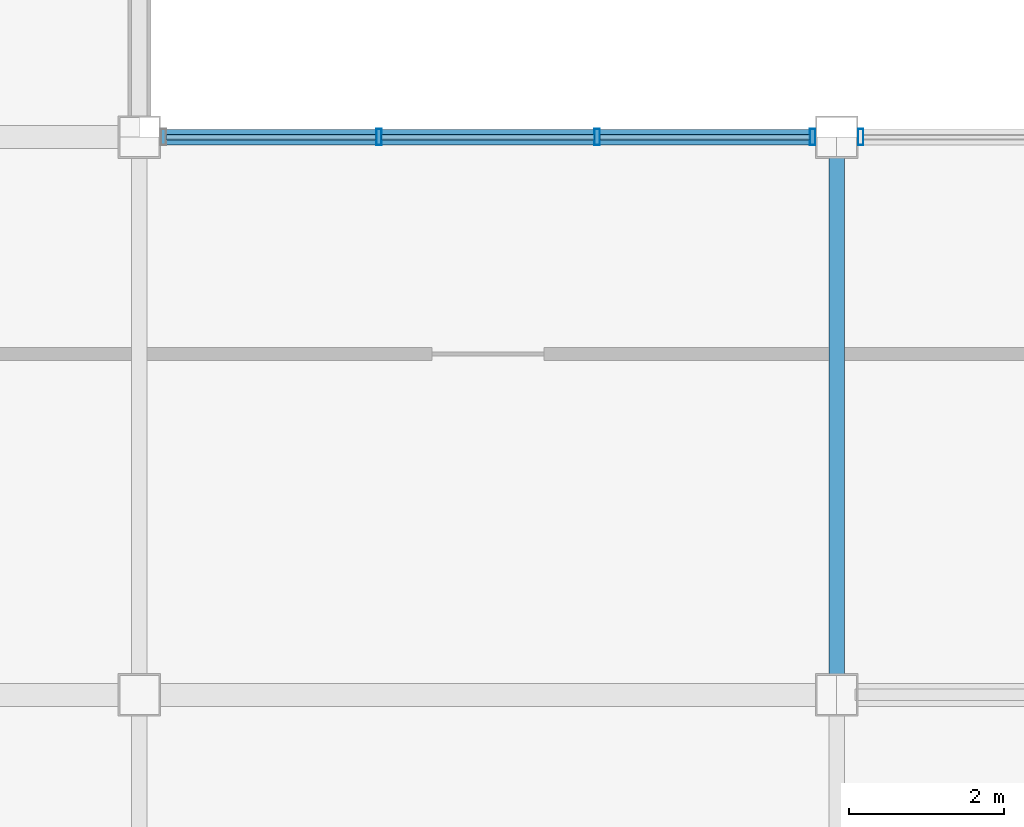
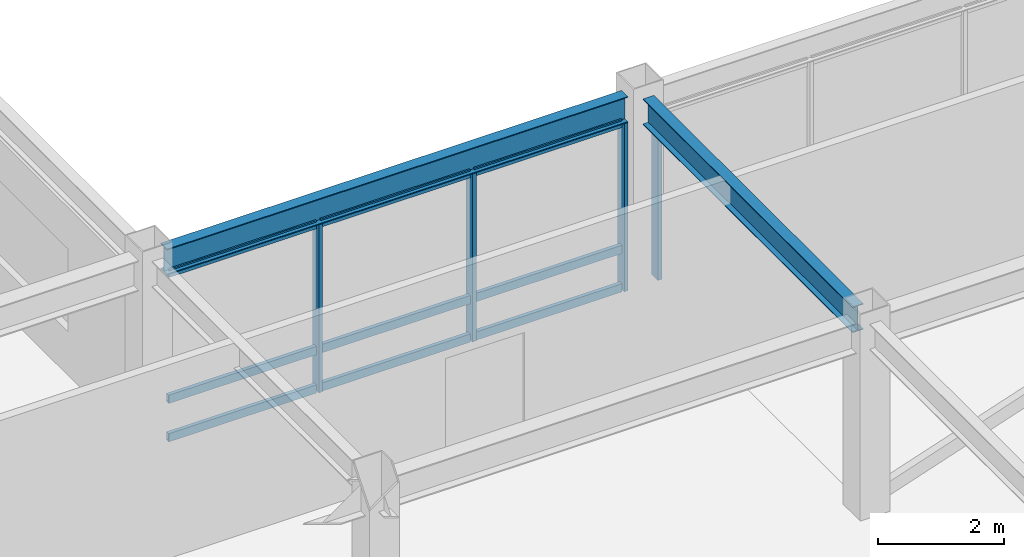
# One storey, part 32 of 122: 13 members, 2 beams, 2 elements without a shape of their own.
"""IFC4 building model written with IfcOpenShell, lengths in metres."""

import ifcopenshell
import ifcopenshell.guid

model = None  # the IFC model being written
_history = None  # IfcOwnerHistory: only IFC2X3 demands one
_inside = {}  # id of a spatial element -> (the spatial element, [elements in it])
_under = {}  # id of a project, library or spatial element -> (it, [spatial elements below it])
_declared = {}  # id of a project -> (the project, [libraries it declares])
_typed = {}  # id of a type object -> (the type object, [elements of that type])
_made_of = {}  # id of a material, layer set ... -> (it, [elements and type objects made of it])


def new_model(schema):
    """Start an empty IFC model of exactly this schema.

    Asked for "IFC4X3", IfcOpenShell would pick the latest addendum, in which some entities
    have other attributes; the version numbers below select the first issue.
    IFC2X3 requires an IfcOwnerHistory on every rooted entity: one is made here for all.
    """
    global model, _history
    if schema == "IFC4X3":
        model = ifcopenshell.file(schema_version=(4, 3, 0, 0))
    else:
        model = ifcopenshell.file(schema=schema)
    _inside.clear()
    _under.clear()
    _declared.clear()
    _typed.clear()
    _made_of.clear()
    _history = None
    if model.schema == "IFC2X3":
        org = make("IfcOrganization", Name="unknown")
        user = make(
            "IfcPersonAndOrganization",
            ThePerson=make("IfcPerson", FamilyName="unknown"),
            TheOrganization=org,
        )
        app = make(
            "IfcApplication",
            ApplicationDeveloper=org,
            Version="unknown",
            ApplicationFullName="unknown",
            ApplicationIdentifier="unknown",
        )
        _history = make(
            "IfcOwnerHistory",
            OwningUser=user,
            OwningApplication=app,
            ChangeAction="ADDED",
            CreationDate=0,
        )
    return model


def make(cls, **values):
    """One entity of the class cls with the attributes given. An attribute that is None is left unset."""
    return model.create_entity(
        cls, **{name: value for name, value in values.items() if value is not None}
    )


def rooted(cls, **values):
    """An entity with a GlobalId (a new one), such as an element, a storey or a relation."""
    return make(cls, GlobalId=ifcopenshell.guid.new(), OwnerHistory=_history, **values)


def si_unit(unit_type, name, prefix=None):
    """IfcSIUnit, for example si_unit("LENGTHUNIT", "METRE", prefix="MILLI")."""
    return make("IfcSIUnit", UnitType=unit_type, Prefix=prefix, Name=name)


def assignment(units):
    """IfcUnitAssignment: the units of a project."""
    return None if units is None else make("IfcUnitAssignment", Units=units)


def point(xyz):
    """IfcCartesianPoint."""
    return None if xyz is None else make("IfcCartesianPoint", Coordinates=xyz)


def direction(xyz):
    """IfcDirection."""
    return None if xyz is None else make("IfcDirection", DirectionRatios=xyz)


def frame(location, z_axis=None, x_axis=None):
    """IfcAxis2Placement3D, a coordinate frame: its origin and axes. An axis left out is left unset."""
    return make(
        "IfcAxis2Placement3D",
        Location=point(location),
        Axis=direction(z_axis),
        RefDirection=direction(x_axis),
    )


def frame_2d(location, x_axis=None):
    """IfcAxis2Placement2D, a coordinate frame in the plane: its origin and x axis."""
    return make(
        "IfcAxis2Placement2D", Location=point(location), RefDirection=direction(x_axis)
    )


def origin():
    """The frame at (0, 0, 0) with its axes left unset."""
    return frame((0.0, 0.0, 0.0))


def origin_2d():
    """The frame at (0, 0) in the plane with its x axis left unset."""
    return frame_2d((0.0, 0.0))


def place(relative_to, where):
    """IfcLocalPlacement: puts the frame where relative to a parent placement (None: the world)."""
    return make(
        "IfcLocalPlacement", PlacementRelTo=relative_to, RelativePlacement=where
    )


def context(
    kind, dimensions, precision=None, world=None, true_north=None, identifier=None
):
    """IfcGeometricRepresentationContext, for example the 3D "Model" context."""
    return make(
        "IfcGeometricRepresentationContext",
        ContextIdentifier=identifier,
        ContextType=kind,
        CoordinateSpaceDimension=dimensions,
        Precision=precision,
        WorldCoordinateSystem=world,
        TrueNorth=true_north,
    )


def subcontext(parent, identifier, kind, view, scale=None):
    """IfcGeometricRepresentationSubContext, for example "Body" below "Model"."""
    return make(
        "IfcGeometricRepresentationSubContext",
        ContextIdentifier=identifier,
        ContextType=kind,
        ParentContext=parent,
        TargetScale=scale,
        TargetView=view,
    )


def project(units=None, contexts=None):
    """IfcProject with its units and contexts."""
    return rooted(
        "IfcProject",
        Name="project",
        RepresentationContexts=contexts,
        UnitsInContext=assignment(units),
    )


def spatial(cls, under=None, at=None, **own):
    """A site, building, storey or space (cls), placed at a placement, below another one or the project."""
    s = rooted(cls, ObjectPlacement=at, **own)
    if under is not None:
        _under.setdefault(under.id(), (under, []))[1].append(s)
    return s


def profile(cls, at=None, kind="AREA", **sizes):
    """A parametric profile (cls). Its sizes go by their IFC names, for example OverallWidth=200.0."""
    return make(cls, ProfileType=kind, Position=at, **sizes)


def hollow_rectangle(**sizes):
    """IfcRectangleHollowProfileDef."""
    return profile("IfcRectangleHollowProfileDef", **sizes)


def i_section(**sizes):
    """IfcIShapeProfileDef."""
    return profile("IfcIShapeProfileDef", **sizes)


def extrude(swept, where, along, depth):
    """IfcExtrudedAreaSolid: the profile swept, set in the frame where, extruded along a direction by depth."""
    return make(
        "IfcExtrudedAreaSolid",
        SweptArea=swept,
        Position=where,
        ExtrudedDirection=direction(along),
        Depth=depth,
    )


def shape(context_of_items, identifier, shape_type, items):
    """IfcShapeRepresentation: the items that make up one representation, for example the "Body"."""
    return make(
        "IfcShapeRepresentation",
        ContextOfItems=context_of_items,
        RepresentationIdentifier=identifier,
        RepresentationType=shape_type,
        Items=items,
    )


def material(Name=None, Category=None):
    """IfcMaterial."""
    return make("IfcMaterial", Name=Name, Category=Category)


def material_profile(
    of_material, cross_section, Name=None, Category=None, Priority=None
):
    """IfcMaterialProfile: a cross section and its material."""
    return make(
        "IfcMaterialProfile",
        Name=Name,
        Material=of_material,
        Profile=cross_section,
        Priority=Priority,
        Category=Category,
    )


def profile_set(profiles, Name=None, composite=None):
    """IfcMaterialProfileSet."""
    return make(
        "IfcMaterialProfileSet",
        Name=Name,
        MaterialProfiles=profiles,
        CompositeProfile=composite,
    )


def made_of(thing, what):
    """Note that an element or type object is made of a material, layer set ...; save() writes the relation."""
    if what is not None:
        _made_of.setdefault(what.id(), (what, []))[1].append(thing)
    return thing


def type_object(cls, material=None, **own):
    """A type object (cls), such as IfcWallType, which elements share."""
    return made_of(rooted(cls, **own), material)


def element(
    cls,
    number,
    at=None,
    inside=None,
    cuts=None,
    type_object=None,
    material=None,
    context=None,
    identifier="Body",
    shape_type=None,
    held_by="IfcProductDefinitionShape",
    body=None,
    shapes=None,
    **own,
):
    """One element of the class cls, such as IfcWall. Its Tag is "e" and its number.

    at: its placement. inside: the storey or other place that contains it. cuts: it is an
    opening in that element (IfcRelVoidsElement). A single representation is given by context,
    identifier, shape_type and body (its items); several are given by shapes. held_by: the class
    of the entity that holds the representations. save() writes the other relations.
    """
    e = rooted(cls, Tag="e%d" % number, ObjectPlacement=at, **own)
    if body is not None:
        shapes = [shape(context, identifier, shape_type, body)]
    if shapes is not None:
        e.Representation = make(held_by, Representations=shapes)
    if inside is not None:
        _inside.setdefault(inside.id(), (inside, []))[1].append(e)
    if cuts is not None:
        rooted(
            "IfcRelVoidsElement", RelatingBuildingElement=cuts, RelatedOpeningElement=e
        )
    if type_object is not None:
        _typed.setdefault(type_object.id(), (type_object, []))[1].append(e)
    return made_of(e, material)


def aggregate(whole, parts):
    """IfcRelAggregates: a whole, such as a stair, and the parts it consists of."""
    return rooted("IfcRelAggregates", RelatingObject=whole, RelatedObjects=parts)


def save(model, path):
    """Write the relations noted so far, then the file.

    IfcRelAggregates (storeys below a building ...), IfcRelContainedInSpatialStructure (elements
    in a storey), IfcRelDefinesByType, IfcRelAssociatesMaterial and IfcRelDeclares: one each for
    every whole, place, type object, material and project.
    """
    for whole, parts in _under.values():
        aggregate(whole, parts)
    for where, things in _inside.values():
        rooted(
            "IfcRelContainedInSpatialStructure",
            RelatedElements=things,
            RelatingStructure=where,
        )
    for kind, things in _typed.values():
        rooted("IfcRelDefinesByType", RelatedObjects=things, RelatingType=kind)
    for what, things in _made_of.values():
        rooted("IfcRelAssociatesMaterial", RelatedObjects=things, RelatingMaterial=what)
    for by, libraries in _declared.values():
        rooted("IfcRelDeclares", RelatingContext=by, RelatedDefinitions=libraries)
    model.write(path)


model = new_model("IFC4")

# Units and contexts
model_context = context("Model", 3, precision=1e-05, world=origin(), true_north=direction((0.0, 1.0)))
body_context = subcontext(model_context, "Body", "Model", "MODEL_VIEW")
ifc_project = project(units=[si_unit("LENGTHUNIT", "METRE"), si_unit("AREAUNIT", "SQUARE_METRE"), si_unit("VOLUMEUNIT", "CUBIC_METRE"), si_unit("PLANEANGLEUNIT", "RADIAN"), si_unit("MASSUNIT", "GRAM", prefix="KILO")], contexts=[model_context])

# Site, building, storey
site_placement = place(None, origin())
site = spatial("IfcSite", under=ifc_project, at=site_placement, CompositionType="ELEMENT")
building_placement = place(site_placement, origin())
building = spatial("IfcBuilding", under=site, at=building_placement, Name="Kazanami Central Library", CompositionType="ELEMENT")
storey_placement = place(building_placement, frame((0.0, 0.0, 4.800048828125)))
storey = spatial("IfcBuildingStorey", under=building, at=storey_placement, Name="L02", CompositionType="ELEMENT", Elevation=4.800048828125)

# Beams
ifc_material_1 = material(Name="Steel SN490B (325 MPa)", Category="steel")
ifc_material_profile_1 = material_profile(ifc_material_1, i_section(OverallWidth=0.199951171875, OverallDepth=0.5, WebThickness=0.010009765625, FlangeThickness=0.01611328125, at=origin_2d()), Name="H-500x200x10x16")
ifc_profile_set_1 = profile_set([ifc_material_profile_1], Name="Steel SN490B (325 MPa)")
beam_type_1 = type_object("IfcBeamType", Name="BM-G-Y2", PredefinedType="BEAM", material=ifc_profile_set_1)
beam_1_placement = place(storey_placement, frame((63.0, 29.072998046875, 3.5048828125), z_axis=(0.0, 1.0, 0.0), x_axis=(-1.0, 0.0, 0.0)))
element("IfcBeam", 1, at=beam_1_placement, inside=storey, type_object=beam_type_1, Name="Girder G-Y2 L02 8/E-F", PredefinedType="BEAM", context=body_context, shape_type="SweptSolid", body=[
    extrude(i_section(OverallWidth=0.199951171875, OverallDepth=0.5, WebThickness=0.010009765625, FlangeThickness=0.01611328125, at=origin_2d()), origin(), (0.0, 0.0, 1.0), 6.654052734375),
])
ifc_material_profile_2 = material_profile(ifc_material_1, i_section(OverallWidth=0.199951171875, OverallDepth=0.5, WebThickness=0.010009765625, FlangeThickness=0.01611328125, at=origin_2d()), Name="H-500x200x10x16")
ifc_profile_set_2 = profile_set([ifc_material_profile_2], Name="Steel SN490B (325 MPa)")
beam_type_2 = type_object("IfcBeamType", Name="BM-SP-1", PredefinedType="SPANDREL", material=ifc_profile_set_2)
beam_2_placement = place(storey_placement, frame((54.27294921875, 36.0, 3.5048828125), z_axis=(1.0, 0.0, 0.0), x_axis=(0.0, 1.0, 0.0)))
element("IfcBeam", 2, at=beam_2_placement, inside=storey, type_object=beam_type_2, Name="Girder SP-1 L02 F/7-8", PredefinedType="SPANDREL", context=body_context, shape_type="SweptSolid", body=[
    extrude(i_section(OverallWidth=0.199951171875, OverallDepth=0.5, WebThickness=0.010009765625, FlangeThickness=0.01611328125, at=origin_2d()), origin(), (0.0, 0.0, 1.0), 8.4541015625),
])

# Curtain wall, members
ifc_material_2 = material(Name="Acid-Etched Low-E Laminated Glass", Category="glass")
curtain_wall_type = type_object("IfcCurtainWallType", Name="CW-8450x3255-M275", PredefinedType="USERDEFINED", material=ifc_material_2)
curtain_wall_1_placement = place(storey_placement, origin())
curtain_wall_1 = element("IfcCurtainWall", 3, at=curtain_wall_1_placement, inside=storey, type_object=curtain_wall_type, Name="Unitised Curtain Wall CW-13 L02 N-F-06", ObjectType="UNITISED CURTAIN WALL", PredefinedType="USERDEFINED")
ifc_material_3 = material(Name="Anodised Aluminium A6063-T5", Category="aluminium")
ifc_material_profile_3 = material_profile(ifc_material_3, hollow_rectangle(XDim=0.070068359375, YDim=0.2099609375, WallThickness=0.0048828125, at=origin_2d()), Name="ALU-MULL-70x210x5")
ifc_profile_set_3 = profile_set([ifc_material_profile_3], Name="Anodised Aluminium A6063-T5")
member_type_1 = type_object("IfcMemberType", Name="MEM-CW-M1", PredefinedType="MULLION", material=ifc_profile_set_3)
member_1_placement = place(storey_placement, frame((62.68994140625, 36.0, 0.0), z_axis=(0.0, 0.0, 1.0), x_axis=(-1.0, 0.0, 0.0)))
member_1 = element("IfcMember", 4, at=member_1_placement, type_object=member_type_1, Name="CW-13 mullion 1", PredefinedType="MULLION", context=body_context, shape_type="SweptSolid", body=[
    extrude(hollow_rectangle(XDim=0.070068359375, YDim=0.2099609375, WallThickness=0.0048828125, at=origin_2d()), origin(), (0.0, 0.0, 1.0), 3.2548828125),
])
member_2_placement = place(storey_placement, frame((59.908447265625, 36.0, 0.0), z_axis=(0.0, 0.0, 1.0), x_axis=(-1.0, 0.0, 0.0)))
member_2 = element("IfcMember", 5, at=member_2_placement, type_object=member_type_1, Name="CW-13 mullion 2", PredefinedType="MULLION", context=body_context, shape_type="SweptSolid", body=[
    extrude(hollow_rectangle(XDim=0.070068359375, YDim=0.2099609375, WallThickness=0.0048828125, at=origin_2d()), origin(), (0.0, 0.0, 1.0), 3.2548828125),
])
member_3_placement = place(storey_placement, frame((57.091552734375, 36.0, 0.0), z_axis=(0.0, 0.0, 1.0), x_axis=(-1.0, 0.0, 0.0)))
member_3 = element("IfcMember", 6, at=member_3_placement, type_object=member_type_1, Name="CW-13 mullion 3", PredefinedType="MULLION", context=body_context, shape_type="SweptSolid", body=[
    extrude(hollow_rectangle(XDim=0.070068359375, YDim=0.2099609375, WallThickness=0.0048828125, at=origin_2d()), origin(), (0.0, 0.0, 1.0), 3.2548828125),
])

# Curtain wall, member
curtain_wall_2_placement = place(storey_placement, origin())
curtain_wall_2 = element("IfcCurtainWall", 7, at=curtain_wall_2_placement, inside=storey, type_object=curtain_wall_type, Name="Unitised Curtain Wall CW-13 L02 N-F-07", ObjectType="UNITISED CURTAIN WALL", PredefinedType="USERDEFINED")
member_4_placement = place(storey_placement, frame((63.31005859375, 36.0, 0.0), z_axis=(0.0, 0.0, 1.0), x_axis=(-1.0, 0.0, 0.0)))
member_4 = element("IfcMember", 8, at=member_4_placement, type_object=member_type_1, Name="CW-13 mullion 4", PredefinedType="MULLION", context=body_context, shape_type="SweptSolid", body=[
    extrude(hollow_rectangle(XDim=0.070068359375, YDim=0.2099609375, WallThickness=0.0048828125, at=origin_2d()), origin(), (0.0, 0.0, 1.0), 3.2548828125),
])
aggregate(curtain_wall_2, [member_4])

# Member
ifc_material_profile_4 = material_profile(ifc_material_3, hollow_rectangle(XDim=0.070068359375, YDim=0.159912109375, WallThickness=0.00390625, at=origin_2d()), Name="ALU-TRAN-70x160x4")
ifc_profile_set_4 = profile_set([ifc_material_profile_4], Name="Anodised Aluminium A6063-T5")
member_type_2 = type_object("IfcMemberType", Name="MEM-CW-T1", PredefinedType="USERDEFINED", material=ifc_profile_set_4)
member_5_placement = place(storey_placement, frame((62.655029296875, 36.0, 0.034912109375), z_axis=(-1.0, 0.0, 0.0), x_axis=(0.0, -1.0, 0.0)))
member_5 = element("IfcMember", 9, at=member_5_placement, type_object=member_type_2, Name="CW-13 transom 1.1", ObjectType="TRANSOM", PredefinedType="USERDEFINED", context=body_context, shape_type="SweptSolid", body=[
    extrude(hollow_rectangle(XDim=0.070068359375, YDim=0.159912109375, WallThickness=0.00390625, at=origin_2d()), origin(), (0.0, 0.0, 1.0), 2.711669921875),
])

member_6_placement = place(storey_placement, frame((62.655029296875, 36.0, 0.780029296875), z_axis=(-1.0, 0.0, 0.0), x_axis=(0.0, -1.0, 0.0)))
member_6 = element("IfcMember", 10, at=member_6_placement, type_object=member_type_2, Name="CW-13 transom 1.2", ObjectType="TRANSOM", PredefinedType="USERDEFINED", context=body_context, shape_type="SweptSolid", body=[
    extrude(hollow_rectangle(XDim=0.070068359375, YDim=0.159912109375, WallThickness=0.00390625, at=origin_2d()), origin(), (0.0, 0.0, 1.0), 2.711669921875),
])

member_7_placement = place(storey_placement, frame((62.655029296875, 36.0, 3.219970703125), z_axis=(-1.0, 0.0, 0.0), x_axis=(0.0, -1.0, 0.0)))
member_7 = element("IfcMember", 11, at=member_7_placement, type_object=member_type_2, Name="CW-13 transom 1.3", ObjectType="TRANSOM", PredefinedType="USERDEFINED", context=body_context, shape_type="SweptSolid", body=[
    extrude(hollow_rectangle(XDim=0.070068359375, YDim=0.159912109375, WallThickness=0.00390625, at=origin_2d()), origin(), (0.0, 0.0, 1.0), 2.711669921875),
])

member_8_placement = place(storey_placement, frame((59.873291015625, 36.0, 0.034912109375), z_axis=(-1.0, 0.0, 0.0), x_axis=(0.0, -1.0, 0.0)))
member_8 = element("IfcMember", 12, at=member_8_placement, type_object=member_type_2, Name="CW-13 transom 2.1", ObjectType="TRANSOM", PredefinedType="USERDEFINED", context=body_context, shape_type="SweptSolid", body=[
    extrude(hollow_rectangle(XDim=0.070068359375, YDim=0.159912109375, WallThickness=0.00390625, at=origin_2d()), origin(), (0.0, 0.0, 1.0), 2.74658203125),
])

member_9_placement = place(storey_placement, frame((59.873291015625, 36.0, 0.780029296875), z_axis=(-1.0, 0.0, 0.0), x_axis=(0.0, -1.0, 0.0)))
member_9 = element("IfcMember", 13, at=member_9_placement, type_object=member_type_2, Name="CW-13 transom 2.2", ObjectType="TRANSOM", PredefinedType="USERDEFINED", context=body_context, shape_type="SweptSolid", body=[
    extrude(hollow_rectangle(XDim=0.070068359375, YDim=0.159912109375, WallThickness=0.00390625, at=origin_2d()), origin(), (0.0, 0.0, 1.0), 2.74658203125),
])

member_10_placement = place(storey_placement, frame((59.873291015625, 36.0, 3.219970703125), z_axis=(-1.0, 0.0, 0.0), x_axis=(0.0, -1.0, 0.0)))
member_10 = element("IfcMember", 14, at=member_10_placement, type_object=member_type_2, Name="CW-13 transom 2.3", ObjectType="TRANSOM", PredefinedType="USERDEFINED", context=body_context, shape_type="SweptSolid", body=[
    extrude(hollow_rectangle(XDim=0.070068359375, YDim=0.159912109375, WallThickness=0.00390625, at=origin_2d()), origin(), (0.0, 0.0, 1.0), 2.74658203125),
])

member_11_placement = place(storey_placement, frame((57.056640625, 36.0, 0.034912109375), z_axis=(-1.0, 0.0, 0.0), x_axis=(0.0, -1.0, 0.0)))
member_11 = element("IfcMember", 15, at=member_11_placement, type_object=member_type_2, Name="CW-13 transom 3.1", ObjectType="TRANSOM", PredefinedType="USERDEFINED", context=body_context, shape_type="SweptSolid", body=[
    extrude(hollow_rectangle(XDim=0.070068359375, YDim=0.159912109375, WallThickness=0.00390625, at=origin_2d()), origin(), (0.0, 0.0, 1.0), 2.711669921875),
])

member_12_placement = place(storey_placement, frame((57.056640625, 36.0, 0.780029296875), z_axis=(-1.0, 0.0, 0.0), x_axis=(0.0, -1.0, 0.0)))
member_12 = element("IfcMember", 16, at=member_12_placement, type_object=member_type_2, Name="CW-13 transom 3.2", ObjectType="TRANSOM", PredefinedType="USERDEFINED", context=body_context, shape_type="SweptSolid", body=[
    extrude(hollow_rectangle(XDim=0.070068359375, YDim=0.159912109375, WallThickness=0.00390625, at=origin_2d()), origin(), (0.0, 0.0, 1.0), 2.711669921875),
])

member_13_placement = place(storey_placement, frame((57.056640625, 36.0, 3.219970703125), z_axis=(-1.0, 0.0, 0.0), x_axis=(0.0, -1.0, 0.0)))
member_13 = element("IfcMember", 17, at=member_13_placement, type_object=member_type_2, Name="CW-13 transom 3.3", ObjectType="TRANSOM", PredefinedType="USERDEFINED", context=body_context, shape_type="SweptSolid", body=[
    extrude(hollow_rectangle(XDim=0.070068359375, YDim=0.159912109375, WallThickness=0.00390625, at=origin_2d()), origin(), (0.0, 0.0, 1.0), 2.711669921875),
])

aggregate(curtain_wall_1, [member_1, member_2, member_3, member_5, member_6, member_7, member_8, member_9, member_10, member_11, member_12, member_13])

save(model, "model.ifc")
